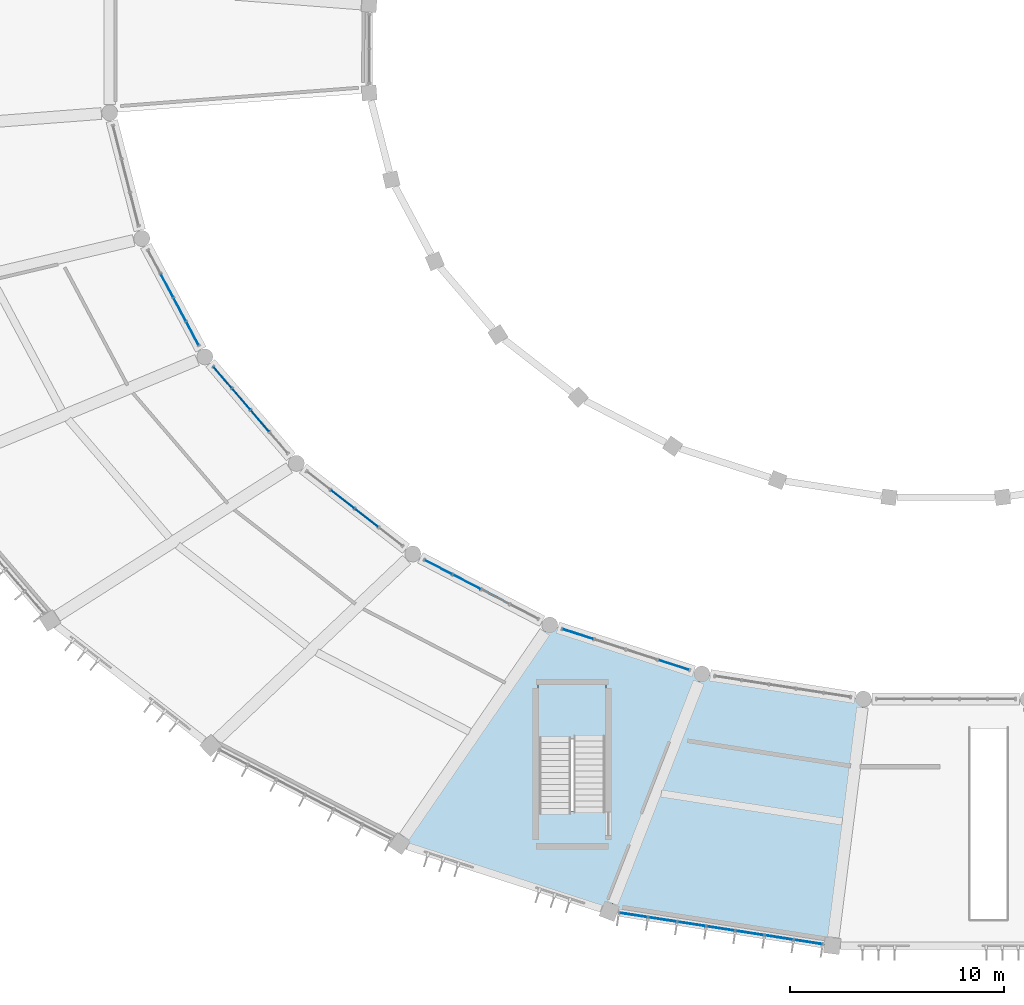
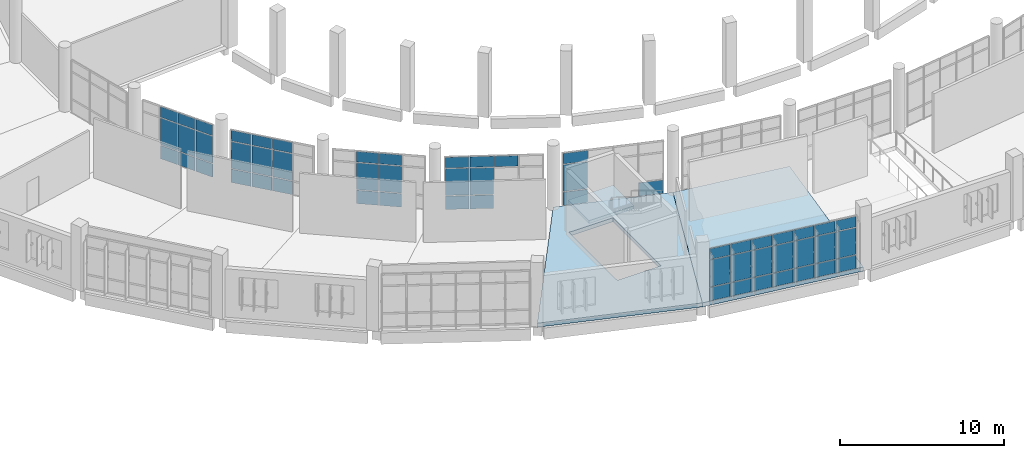
# One storey, part 86 of 179: 56 plates, 3 slabs, 7 elements without a shape of their own.
"""IFC4 building model written with IfcOpenShell, lengths in metres."""

from ifc_helpers import new_model, si_unit, direction, frame, origin, origin_2d, place, context, subcontext, project, spatial, polyline, rectangle, outline, extrude, material, layer, layer_set, type_object, element, aggregate, save


model = new_model("IFC4")

# Units and contexts
model_context = context("Model", 3, precision=1e-05, world=origin(), true_north=direction((0.0, 1.0)))
body_context = subcontext(model_context, "Body", "Model", "MODEL_VIEW")
ifc_project = project(units=[si_unit("LENGTHUNIT", "METRE"), si_unit("AREAUNIT", "SQUARE_METRE"), si_unit("VOLUMEUNIT", "CUBIC_METRE"), si_unit("PLANEANGLEUNIT", "RADIAN"), si_unit("MASSUNIT", "GRAM", prefix="KILO")], contexts=[model_context])

# Site, building, storey
site_placement = place(None, origin())
site = spatial("IfcSite", under=ifc_project, at=site_placement, CompositionType="ELEMENT")
building_placement = place(site_placement, origin())
building = spatial("IfcBuilding", under=site, at=building_placement, Name="Corvandel Quay Wholesale Market", CompositionType="ELEMENT")
storey_placement = place(building_placement, frame((0.0, 0.0, 6.0)))
storey = spatial("IfcBuildingStorey", under=building, at=storey_placement, Name="L01", CompositionType="ELEMENT", Elevation=6.0)

# Curtain wall, plates
ifc_material_1 = material(Name="Bronze anodised aluminium and low-E insulated glazing", Category="aluminium")
ifc_layer_1 = layer(ifc_material_1, 0.18603515625)
ifc_layer_set_1 = layer_set([ifc_layer_1], Name="Bronze anodised aluminium and low-E insulated glazing")
curtain_wall_type_1 = type_object("IfcCurtainWallType", Name="Stick Curtain Wall System CW08 H3720", PredefinedType="NOTDEFINED", material=ifc_layer_set_1)
curtain_wall_1_placement = place(storey_placement, origin())
curtain_wall_1 = element("IfcCurtainWall", 1, at=curtain_wall_1_placement, inside=storey, type_object=curtain_wall_type_1, Name="Curtain Wall CW-0051", PredefinedType="NOTDEFINED")
ifc_material_2 = material(Name="Solar-control low-E insulated glazing", Category="glass")
ifc_layer_2 = layer(ifc_material_2, 0.0400390625)
ifc_layer_set_2 = layer_set([ifc_layer_2], Name="Solar-control low-E insulated glazing")
plate_type_1 = type_object("IfcPlateType", Name="Ceramic Fritted Spandrel Panel PN03 40mm", PredefinedType="CURTAIN_PANEL", material=ifc_layer_set_2)
plate_1_placement = place(storey_placement, frame((77.531982421875, 30.90771484375, 3.1298828125), z_axis=(0.0, 0.0, 1.0), x_axis=(-0.470087862033, 0.882619624736, 0.0)))
plate_1 = element("IfcPlate", 2, at=plate_1_placement, type_object=plate_type_1, Name="Glazing Panel CW-0051-P01-2", PredefinedType="CURTAIN_PANEL", context=body_context, shape_type="SweptSolid", body=[
    extrude(rectangle(XDim=1.20458984375, YDim=0.0400390625, at=origin_2d()), origin(), (0.0, 0.0, 1.0), 0.7900390625),
])
plate_2_placement = place(storey_placement, frame((78.12890625, 29.787353515625, 3.1298828125), z_axis=(0.0, 0.0, 1.0), x_axis=(-0.470087862033, 0.882619624736, 0.0)))
plate_2 = element("IfcPlate", 3, at=plate_2_placement, type_object=plate_type_1, Name="Glazing Panel CW-0051-P02-2", PredefinedType="CURTAIN_PANEL", context=body_context, shape_type="SweptSolid", body=[
    extrude(rectangle(XDim=1.20458984375, YDim=0.0400390625, at=origin_2d()), origin(), (0.0, 0.0, 1.0), 0.7900390625),
])
plate_3_placement = place(storey_placement, frame((78.7255859375, 28.666748046875, 3.1298828125), z_axis=(0.0, 0.0, 1.0), x_axis=(-0.470087862033, 0.882619624736, 0.0)))
plate_3 = element("IfcPlate", 4, at=plate_3_placement, type_object=plate_type_1, Name="Glazing Panel CW-0051-P03-2", PredefinedType="CURTAIN_PANEL", context=body_context, shape_type="SweptSolid", body=[
    extrude(rectangle(XDim=1.20458984375, YDim=0.0400390625, at=origin_2d()), origin(), (0.0, 0.0, 1.0), 0.7900390625),
])

ifc_layer_3 = layer(ifc_material_1, 0.197998046875)
ifc_layer_set_3 = layer_set([ifc_layer_3], Name="Bronze anodised aluminium and low-E insulated glazing")
curtain_wall_type_2 = type_object("IfcCurtainWallType", Name="Stick Curtain Wall System CW09 H3810", PredefinedType="NOTDEFINED", material=ifc_layer_set_3)
curtain_wall_2_placement = place(storey_placement, origin())
curtain_wall_2 = element("IfcCurtainWall", 5, at=curtain_wall_2_placement, inside=storey, type_object=curtain_wall_type_2, Name="Curtain Wall CW-0055", PredefinedType="NOTDEFINED")
plate_4_placement = place(storey_placement, frame((80.134765625, 26.6123046875, 3.1298828125), z_axis=(0.0, 0.0, 1.0), x_axis=(-0.651568967347, 0.758589401976, 0.0)))
plate_4 = element("IfcPlate", 6, at=plate_4_placement, type_object=plate_type_1, Name="Glazing Panel CW-0055-P00-2", PredefinedType="CURTAIN_PANEL", context=body_context, shape_type="SweptSolid", body=[
    extrude(rectangle(XDim=1.27880859375, YDim=0.0400390625, at=origin_2d()), origin(), (0.0, 0.0, 1.0), 0.7900390625),
])
plate_5_placement = place(storey_placement, frame((81.01025390625, 25.5927734375, 3.1298828125), z_axis=(0.0, 0.0, 1.0), x_axis=(-0.651568967347, 0.758589401976, 0.0)))
plate_5 = element("IfcPlate", 7, at=plate_5_placement, type_object=plate_type_1, Name="Glazing Panel CW-0055-P01-2", PredefinedType="CURTAIN_PANEL", context=body_context, shape_type="SweptSolid", body=[
    extrude(rectangle(XDim=1.27880859375, YDim=0.0400390625, at=origin_2d()), origin(), (0.0, 0.0, 1.0), 0.7900390625),
])
plate_6_placement = place(storey_placement, frame((81.8857421875, 24.5732421875, 3.1298828125), z_axis=(0.0, 0.0, 1.0), x_axis=(-0.651568967347, 0.758589401976, 0.0)))
plate_6 = element("IfcPlate", 8, at=plate_6_placement, type_object=plate_type_1, Name="Glazing Panel CW-0055-P02-2", PredefinedType="CURTAIN_PANEL", context=body_context, shape_type="SweptSolid", body=[
    extrude(rectangle(XDim=1.27880859375, YDim=0.0400390625, at=origin_2d()), origin(), (0.0, 0.0, 1.0), 0.7900390625),
])

ifc_layer_4 = layer(ifc_material_1, 0.14990234375)
ifc_layer_set_4 = layer_set([ifc_layer_4], Name="Bronze anodised aluminium and low-E insulated glazing")
curtain_wall_type_3 = type_object("IfcCurtainWallType", Name="Stick Curtain Wall System CW10 H3900", PredefinedType="NOTDEFINED", material=ifc_layer_set_4)
curtain_wall_3_placement = place(storey_placement, origin())
curtain_wall_3 = element("IfcCurtainWall", 9, at=curtain_wall_3_placement, inside=storey, type_object=curtain_wall_type_3, Name="Curtain Wall CW-0058", PredefinedType="NOTDEFINED")
plate_7_placement = place(storey_placement, frame((85.75341796875, 20.906494140625, 3.1298828125), z_axis=(0.0, 0.0, 1.0), x_axis=(-0.789405615633, 0.613871952452, 0.0)))
plate_7 = element("IfcPlate", 10, at=plate_7_placement, type_object=plate_type_1, Name="Glazing Panel CW-0058-P01-2", PredefinedType="CURTAIN_PANEL", context=body_context, shape_type="SweptSolid", body=[
    extrude(rectangle(XDim=1.362060546875, YDim=0.0400390625, at=origin_2d()), origin(), (0.0, 0.0, 1.0), 0.7900390625),
])
plate_8_placement = place(storey_placement, frame((86.879638671875, 20.030517578125, 3.1298828125), z_axis=(0.0, 0.0, 1.0), x_axis=(-0.789405615633, 0.613871952452, 0.0)))
plate_8 = element("IfcPlate", 11, at=plate_8_placement, type_object=plate_type_1, Name="Glazing Panel CW-0058-P02-2", PredefinedType="CURTAIN_PANEL", context=body_context, shape_type="SweptSolid", body=[
    extrude(rectangle(XDim=1.362060546875, YDim=0.0400390625, at=origin_2d()), origin(), (0.0, 0.0, 1.0), 0.7900390625),
])

ifc_layer_5 = layer(ifc_material_1, 0.162109375)
ifc_layer_set_5 = layer_set([ifc_layer_5], Name="Bronze anodised aluminium and low-E insulated glazing")
curtain_wall_type_4 = type_object("IfcCurtainWallType", Name="Stick Curtain Wall System CW11 H3990", PredefinedType="NOTDEFINED", material=ifc_layer_set_5)
curtain_wall_4_placement = place(storey_placement, origin())
curtain_wall_4 = element("IfcCurtainWall", 12, at=curtain_wall_4_placement, inside=storey, type_object=curtain_wall_type_4, Name="Curtain Wall CW-0061", PredefinedType="NOTDEFINED")
plate_9_placement = place(storey_placement, frame((90.243896484375, 17.72412109375, 3.1298828125), z_axis=(0.0, 0.0, 1.0), x_axis=(-0.887332978338, 0.461129250378, 0.0)))
plate_9 = element("IfcPlate", 13, at=plate_9_placement, type_object=plate_type_1, Name="Glazing Panel CW-0061-P00-2", PredefinedType="CURTAIN_PANEL", context=body_context, shape_type="SweptSolid", body=[
    extrude(rectangle(XDim=1.44189453125, YDim=0.0400390625, at=origin_2d()), origin(), (0.0, 0.0, 1.0), 0.7900390625),
])
plate_10_placement = place(storey_placement, frame((91.5810546875, 17.029296875, 3.1298828125), z_axis=(0.0, 0.0, 1.0), x_axis=(-0.887332978338, 0.461129250378, 0.0)))
plate_10 = element("IfcPlate", 14, at=plate_10_placement, type_object=plate_type_1, Name="Glazing Panel CW-0061-P01-2", PredefinedType="CURTAIN_PANEL", context=body_context, shape_type="SweptSolid", body=[
    extrude(rectangle(XDim=1.44189453125, YDim=0.0400390625, at=origin_2d()), origin(), (0.0, 0.0, 1.0), 0.7900390625),
])
plate_11_placement = place(storey_placement, frame((92.91796875, 16.334716796875, 3.1298828125), z_axis=(0.0, 0.0, 1.0), x_axis=(-0.887332978338, 0.461129250378, 0.0)))
plate_11 = element("IfcPlate", 15, at=plate_11_placement, type_object=plate_type_1, Name="Glazing Panel CW-0061-P02-2", PredefinedType="CURTAIN_PANEL", context=body_context, shape_type="SweptSolid", body=[
    extrude(rectangle(XDim=1.44189453125, YDim=0.0400390625, at=origin_2d()), origin(), (0.0, 0.0, 1.0), 0.7900390625),
])

# Curtain wall, plate
ifc_layer_6 = layer(ifc_material_1, 0.174072265625)
ifc_layer_set_6 = layer_set([ifc_layer_6], Name="Bronze anodised aluminium and low-E insulated glazing")
curtain_wall_type_5 = type_object("IfcCurtainWallType", Name="Stick Curtain Wall System CW12 H4080", PredefinedType="NOTDEFINED", material=ifc_layer_set_6)
curtain_wall_5_placement = place(storey_placement, origin())
curtain_wall_5 = element("IfcCurtainWall", 16, at=curtain_wall_5_placement, inside=storey, type_object=curtain_wall_type_5, Name="Curtain Wall CW-0064", PredefinedType="NOTDEFINED")
plate_12_placement = place(storey_placement, frame((96.77490234375, 14.591064453125, 3.1298828125), z_axis=(0.0, 0.0, 1.0), x_axis=(-0.951808747363, 0.306692204733, 0.0)))
plate_12 = element("IfcPlate", 17, at=plate_12_placement, type_object=plate_type_1, Name="Glazing Panel CW-0064-P00-2", PredefinedType="CURTAIN_PANEL", context=body_context, shape_type="SweptSolid", body=[
    extrude(rectangle(XDim=1.506103515625, YDim=0.0400390625, at=origin_2d()), origin(), (0.0, 0.0, 1.0), 0.7900390625),
])

# Curtain wall, plates
ifc_layer_7 = layer(ifc_material_1, 0.174072265625)
ifc_layer_set_7 = layer_set([ifc_layer_7], Name="Bronze anodised aluminium and low-E insulated glazing")
curtain_wall_type_6 = type_object("IfcCurtainWallType", Name="Stick Curtain Wall System CW27 H5430", PredefinedType="NOTDEFINED", material=ifc_layer_set_7)
curtain_wall_6_placement = place(storey_placement, origin())
curtain_wall_6 = element("IfcCurtainWall", 18, at=curtain_wall_6_placement, inside=storey, type_object=curtain_wall_type_6, Name="Curtain Wall CW-0066", PredefinedType="NOTDEFINED")
plate_13_placement = place(storey_placement, frame((99.375244140625, 1.439697265625, 3.1298828125), z_axis=(0.0, 0.0, 1.0), x_axis=(-0.98825506746, 0.152813355565, 0.0)))
plate_13 = element("IfcPlate", 19, at=plate_13_placement, type_object=plate_type_1, Name="Glazing Panel CW-0066-P00-2", PredefinedType="CURTAIN_PANEL", context=body_context, shape_type="SweptSolid", body=[
    extrude(rectangle(XDim=1.314453125, YDim=0.0400390625, at=origin_2d()), origin(), (0.0, 0.0, 1.0), 0.7900390625),
])
plate_14_placement = place(storey_placement, frame((100.738525390625, 1.228759765625, 3.1298828125), z_axis=(0.0, 0.0, 1.0), x_axis=(-0.98825506746, 0.152813355565, 0.0)))
plate_14 = element("IfcPlate", 20, at=plate_14_placement, type_object=plate_type_1, Name="Glazing Panel CW-0066-P01-2", PredefinedType="CURTAIN_PANEL", context=body_context, shape_type="SweptSolid", body=[
    extrude(rectangle(XDim=1.314453125, YDim=0.0400390625, at=origin_2d()), origin(), (0.0, 0.0, 1.0), 0.7900390625),
])
plate_15_placement = place(storey_placement, frame((102.101806640625, 1.017822265625, 3.1298828125), z_axis=(0.0, 0.0, 1.0), x_axis=(-0.98825506746, 0.152813355565, 0.0)))
plate_15 = element("IfcPlate", 21, at=plate_15_placement, type_object=plate_type_1, Name="Glazing Panel CW-0066-P02-2", PredefinedType="CURTAIN_PANEL", context=body_context, shape_type="SweptSolid", body=[
    extrude(rectangle(XDim=1.314453125, YDim=0.0400390625, at=origin_2d()), origin(), (0.0, 0.0, 1.0), 0.7900390625),
])
plate_16_placement = place(storey_placement, frame((103.465087890625, 0.806884765625, 3.1298828125), z_axis=(0.0, 0.0, 1.0), x_axis=(-0.98825506746, 0.152813355565, 0.0)))
plate_16 = element("IfcPlate", 22, at=plate_16_placement, type_object=plate_type_1, Name="Glazing Panel CW-0066-P03-2", PredefinedType="CURTAIN_PANEL", context=body_context, shape_type="SweptSolid", body=[
    extrude(rectangle(XDim=1.314453125, YDim=0.0400390625, at=origin_2d()), origin(), (0.0, 0.0, 1.0), 0.7900390625),
])
plate_17_placement = place(storey_placement, frame((104.828125, 0.59619140625, 3.1298828125), z_axis=(0.0, 0.0, 1.0), x_axis=(-0.98825506746, 0.152813355565, 0.0)))
plate_17 = element("IfcPlate", 23, at=plate_17_placement, type_object=plate_type_1, Name="Glazing Panel CW-0066-P04-2", PredefinedType="CURTAIN_PANEL", context=body_context, shape_type="SweptSolid", body=[
    extrude(rectangle(XDim=1.314453125, YDim=0.0400390625, at=origin_2d()), origin(), (0.0, 0.0, 1.0), 0.7900390625),
])
plate_18_placement = place(storey_placement, frame((106.19140625, 0.38525390625, 3.1298828125), z_axis=(0.0, 0.0, 1.0), x_axis=(-0.98825506746, 0.152813355565, 0.0)))
plate_18 = element("IfcPlate", 24, at=plate_18_placement, type_object=plate_type_1, Name="Glazing Panel CW-0066-P05-2", PredefinedType="CURTAIN_PANEL", context=body_context, shape_type="SweptSolid", body=[
    extrude(rectangle(XDim=1.314453125, YDim=0.0400390625, at=origin_2d()), origin(), (0.0, 0.0, 1.0), 0.7900390625),
])
plate_19_placement = place(storey_placement, frame((107.5546875, 0.17431640625, 3.1298828125), z_axis=(0.0, 0.0, 1.0), x_axis=(-0.98825506746, 0.152813355565, 0.0)))
plate_19 = element("IfcPlate", 25, at=plate_19_placement, type_object=plate_type_1, Name="Glazing Panel CW-0066-P06-2", PredefinedType="CURTAIN_PANEL", context=body_context, shape_type="SweptSolid", body=[
    extrude(rectangle(XDim=1.314453125, YDim=0.0400390625, at=origin_2d()), origin(), (0.0, 0.0, 1.0), 0.7900390625),
])

# Slabs
ifc_material_3 = material(Name="Concrete C40/50", Category="concrete")
ifc_layer_8 = layer(ifc_material_3, 0.300048828125)
ifc_layer_set_8 = layer_set([ifc_layer_8], Name="Concrete C40/50")
slab_type_1 = type_object("IfcSlabType", Name="Composite Trading Gallery Floor Slab 300", PredefinedType="FLOOR", material=ifc_layer_set_8)
slab_1_placement = place(storey_placement, frame((0.0, 0.0, -0.300048828125)))
element("IfcSlab", 26, at=slab_1_placement, inside=storey, type_object=slab_type_1, Name="Slab SLB-0104", PredefinedType="FLOOR", context=body_context, shape_type="SweptSolid", body=[
    extrude(outline(polyline([(95.4560546875, 15.01611328125), (102.580078125, 12.719970703125), (98.2490234375, 1.614013671875), (88.4208984375, 4.780029296875), (95.4560546875, 15.01611328125)]), holes=[polyline([(98.050048828125, 6.300048828125), (98.050048828125, 12.199951171875), (94.949951171875, 12.199951171875), (94.949951171875, 6.300048828125), (98.050048828125, 6.300048828125)])]), origin(), (0.0, 0.0, 1.0), 0.300048828125),
])
slab_2_placement = place(storey_placement, frame((0.0, 0.0, -0.300048828125)))
element("IfcSlab", 27, at=slab_2_placement, inside=storey, type_object=slab_type_1, Name="Slab SLB-0108", PredefinedType="FLOOR", context=body_context, shape_type="SweptSolid", body=[
    extrude(outline(polyline([(102.580078125, 12.719970703125), (110.14404296875, 11.550048828125), (108.680908203125, 0.0), (98.2490234375, 1.614013671875), (102.580078125, 12.719970703125)])), origin(), (0.0, 0.0, 1.0), 0.300048828125),
])

# Plate
ifc_layer_9 = layer(ifc_material_2, 0.028076171875)
ifc_layer_set_9 = layer_set([ifc_layer_9], Name="Solar-control low-E insulated glazing")
plate_type_2 = type_object("IfcPlateType", Name="Double Low-E Vision Panel PN01 28mm", PredefinedType="CURTAIN_PANEL", material=ifc_layer_set_9)
plate_20_placement = place(storey_placement, frame((77.531982421875, 30.90771484375, 0.02978515625), z_axis=(0.0, 0.0, 1.0), x_axis=(-0.470087862033, 0.882619624736, 0.0)))
plate_20 = element("IfcPlate", 28, at=plate_20_placement, type_object=plate_type_2, Name="Glazing Panel CW-0051-P01-0", PredefinedType="CURTAIN_PANEL", context=body_context, shape_type="SweptSolid", body=[
    extrude(rectangle(XDim=1.20458984375, YDim=0.028076171875, at=origin_2d()), origin(), (0.0, 0.0, 1.0), 0.989990234375),
])

plate_21_placement = place(storey_placement, frame((77.531982421875, 30.90771484375, 1.080078125), z_axis=(0.0, 0.0, 1.0), x_axis=(-0.470087862033, 0.882619624736, 0.0)))
plate_21 = element("IfcPlate", 29, at=plate_21_placement, type_object=plate_type_2, Name="Glazing Panel CW-0051-P01-1", PredefinedType="CURTAIN_PANEL", context=body_context, shape_type="SweptSolid", body=[
    extrude(rectangle(XDim=1.20458984375, YDim=0.028076171875, at=origin_2d()), origin(), (0.0, 0.0, 1.0), 1.989990234375),
])

plate_22_placement = place(storey_placement, frame((78.12890625, 29.787353515625, 0.02978515625), z_axis=(0.0, 0.0, 1.0), x_axis=(-0.470087862033, 0.882619624736, 0.0)))
plate_22 = element("IfcPlate", 30, at=plate_22_placement, type_object=plate_type_2, Name="Glazing Panel CW-0051-P02-0", PredefinedType="CURTAIN_PANEL", context=body_context, shape_type="SweptSolid", body=[
    extrude(rectangle(XDim=1.20458984375, YDim=0.028076171875, at=origin_2d()), origin(), (0.0, 0.0, 1.0), 0.989990234375),
])

plate_23_placement = place(storey_placement, frame((78.12890625, 29.787353515625, 1.080078125), z_axis=(0.0, 0.0, 1.0), x_axis=(-0.470087862033, 0.882619624736, 0.0)))
plate_23 = element("IfcPlate", 31, at=plate_23_placement, type_object=plate_type_2, Name="Glazing Panel CW-0051-P02-1", PredefinedType="CURTAIN_PANEL", context=body_context, shape_type="SweptSolid", body=[
    extrude(rectangle(XDim=1.20458984375, YDim=0.028076171875, at=origin_2d()), origin(), (0.0, 0.0, 1.0), 1.989990234375),
])

plate_24_placement = place(storey_placement, frame((78.7255859375, 28.666748046875, 0.02978515625), z_axis=(0.0, 0.0, 1.0), x_axis=(-0.470087862033, 0.882619624736, 0.0)))
plate_24 = element("IfcPlate", 32, at=plate_24_placement, type_object=plate_type_2, Name="Glazing Panel CW-0051-P03-0", PredefinedType="CURTAIN_PANEL", context=body_context, shape_type="SweptSolid", body=[
    extrude(rectangle(XDim=1.20458984375, YDim=0.028076171875, at=origin_2d()), origin(), (0.0, 0.0, 1.0), 0.989990234375),
])

plate_25_placement = place(storey_placement, frame((78.7255859375, 28.666748046875, 1.080078125), z_axis=(0.0, 0.0, 1.0), x_axis=(-0.470087862033, 0.882619624736, 0.0)))
plate_25 = element("IfcPlate", 33, at=plate_25_placement, type_object=plate_type_2, Name="Glazing Panel CW-0051-P03-1", PredefinedType="CURTAIN_PANEL", context=body_context, shape_type="SweptSolid", body=[
    extrude(rectangle(XDim=1.20458984375, YDim=0.028076171875, at=origin_2d()), origin(), (0.0, 0.0, 1.0), 1.989990234375),
])

aggregate(curtain_wall_1, [plate_20, plate_21, plate_1, plate_22, plate_23, plate_2, plate_24, plate_25, plate_3])

plate_26_placement = place(storey_placement, frame((80.134765625, 26.6123046875, 0.02978515625), z_axis=(0.0, 0.0, 1.0), x_axis=(-0.651568967347, 0.758589401976, 0.0)))
plate_26 = element("IfcPlate", 34, at=plate_26_placement, type_object=plate_type_2, Name="Glazing Panel CW-0055-P00-0", PredefinedType="CURTAIN_PANEL", context=body_context, shape_type="SweptSolid", body=[
    extrude(rectangle(XDim=1.27880859375, YDim=0.028076171875, at=origin_2d()), origin(), (0.0, 0.0, 1.0), 0.989990234375),
])

plate_27_placement = place(storey_placement, frame((80.134765625, 26.6123046875, 1.080078125), z_axis=(0.0, 0.0, 1.0), x_axis=(-0.651568967347, 0.758589401976, 0.0)))
plate_27 = element("IfcPlate", 35, at=plate_27_placement, type_object=plate_type_2, Name="Glazing Panel CW-0055-P00-1", PredefinedType="CURTAIN_PANEL", context=body_context, shape_type="SweptSolid", body=[
    extrude(rectangle(XDim=1.27880859375, YDim=0.028076171875, at=origin_2d()), origin(), (0.0, 0.0, 1.0), 1.989990234375),
])

plate_28_placement = place(storey_placement, frame((81.01025390625, 25.5927734375, 0.02978515625), z_axis=(0.0, 0.0, 1.0), x_axis=(-0.651568967347, 0.758589401976, 0.0)))
plate_28 = element("IfcPlate", 36, at=plate_28_placement, type_object=plate_type_2, Name="Glazing Panel CW-0055-P01-0", PredefinedType="CURTAIN_PANEL", context=body_context, shape_type="SweptSolid", body=[
    extrude(rectangle(XDim=1.27880859375, YDim=0.028076171875, at=origin_2d()), origin(), (0.0, 0.0, 1.0), 0.989990234375),
])

plate_29_placement = place(storey_placement, frame((81.01025390625, 25.5927734375, 1.080078125), z_axis=(0.0, 0.0, 1.0), x_axis=(-0.651568967347, 0.758589401976, 0.0)))
plate_29 = element("IfcPlate", 37, at=plate_29_placement, type_object=plate_type_2, Name="Glazing Panel CW-0055-P01-1", PredefinedType="CURTAIN_PANEL", context=body_context, shape_type="SweptSolid", body=[
    extrude(rectangle(XDim=1.27880859375, YDim=0.028076171875, at=origin_2d()), origin(), (0.0, 0.0, 1.0), 1.989990234375),
])

plate_30_placement = place(storey_placement, frame((81.8857421875, 24.5732421875, 0.02978515625), z_axis=(0.0, 0.0, 1.0), x_axis=(-0.651568967347, 0.758589401976, 0.0)))
plate_30 = element("IfcPlate", 38, at=plate_30_placement, type_object=plate_type_2, Name="Glazing Panel CW-0055-P02-0", PredefinedType="CURTAIN_PANEL", context=body_context, shape_type="SweptSolid", body=[
    extrude(rectangle(XDim=1.27880859375, YDim=0.028076171875, at=origin_2d()), origin(), (0.0, 0.0, 1.0), 0.989990234375),
])

plate_31_placement = place(storey_placement, frame((81.8857421875, 24.5732421875, 1.080078125), z_axis=(0.0, 0.0, 1.0), x_axis=(-0.651568967347, 0.758589401976, 0.0)))
plate_31 = element("IfcPlate", 39, at=plate_31_placement, type_object=plate_type_2, Name="Glazing Panel CW-0055-P02-1", PredefinedType="CURTAIN_PANEL", context=body_context, shape_type="SweptSolid", body=[
    extrude(rectangle(XDim=1.27880859375, YDim=0.028076171875, at=origin_2d()), origin(), (0.0, 0.0, 1.0), 1.989990234375),
])

aggregate(curtain_wall_2, [plate_26, plate_27, plate_4, plate_28, plate_29, plate_5, plate_30, plate_31, plate_6])

plate_32_placement = place(storey_placement, frame((85.75341796875, 20.906494140625, 0.02978515625), z_axis=(0.0, 0.0, 1.0), x_axis=(-0.789405615633, 0.613871952452, 0.0)))
plate_32 = element("IfcPlate", 40, at=plate_32_placement, type_object=plate_type_2, Name="Glazing Panel CW-0058-P01-0", PredefinedType="CURTAIN_PANEL", context=body_context, shape_type="SweptSolid", body=[
    extrude(rectangle(XDim=1.362060546875, YDim=0.028076171875, at=origin_2d()), origin(), (0.0, 0.0, 1.0), 0.989990234375),
])

plate_33_placement = place(storey_placement, frame((85.75341796875, 20.906494140625, 1.080078125), z_axis=(0.0, 0.0, 1.0), x_axis=(-0.789405615633, 0.613871952452, 0.0)))
plate_33 = element("IfcPlate", 41, at=plate_33_placement, type_object=plate_type_2, Name="Glazing Panel CW-0058-P01-1", PredefinedType="CURTAIN_PANEL", context=body_context, shape_type="SweptSolid", body=[
    extrude(rectangle(XDim=1.362060546875, YDim=0.028076171875, at=origin_2d()), origin(), (0.0, 0.0, 1.0), 1.989990234375),
])

plate_34_placement = place(storey_placement, frame((86.879638671875, 20.030517578125, 0.02978515625), z_axis=(0.0, 0.0, 1.0), x_axis=(-0.789405615633, 0.613871952452, 0.0)))
plate_34 = element("IfcPlate", 42, at=plate_34_placement, type_object=plate_type_2, Name="Glazing Panel CW-0058-P02-0", PredefinedType="CURTAIN_PANEL", context=body_context, shape_type="SweptSolid", body=[
    extrude(rectangle(XDim=1.362060546875, YDim=0.028076171875, at=origin_2d()), origin(), (0.0, 0.0, 1.0), 0.989990234375),
])

plate_35_placement = place(storey_placement, frame((86.879638671875, 20.030517578125, 1.080078125), z_axis=(0.0, 0.0, 1.0), x_axis=(-0.789405615633, 0.613871952452, 0.0)))
plate_35 = element("IfcPlate", 43, at=plate_35_placement, type_object=plate_type_2, Name="Glazing Panel CW-0058-P02-1", PredefinedType="CURTAIN_PANEL", context=body_context, shape_type="SweptSolid", body=[
    extrude(rectangle(XDim=1.362060546875, YDim=0.028076171875, at=origin_2d()), origin(), (0.0, 0.0, 1.0), 1.989990234375),
])

aggregate(curtain_wall_3, [plate_32, plate_33, plate_7, plate_34, plate_35, plate_8])

plate_36_placement = place(storey_placement, frame((90.243896484375, 17.72412109375, 0.02978515625), z_axis=(0.0, 0.0, 1.0), x_axis=(-0.887332978338, 0.461129250378, 0.0)))
plate_36 = element("IfcPlate", 44, at=plate_36_placement, type_object=plate_type_2, Name="Glazing Panel CW-0061-P00-0", PredefinedType="CURTAIN_PANEL", context=body_context, shape_type="SweptSolid", body=[
    extrude(rectangle(XDim=1.44189453125, YDim=0.028076171875, at=origin_2d()), origin(), (0.0, 0.0, 1.0), 0.989990234375),
])

plate_37_placement = place(storey_placement, frame((90.243896484375, 17.72412109375, 1.080078125), z_axis=(0.0, 0.0, 1.0), x_axis=(-0.887332978338, 0.461129250378, 0.0)))
plate_37 = element("IfcPlate", 45, at=plate_37_placement, type_object=plate_type_2, Name="Glazing Panel CW-0061-P00-1", PredefinedType="CURTAIN_PANEL", context=body_context, shape_type="SweptSolid", body=[
    extrude(rectangle(XDim=1.44189453125, YDim=0.028076171875, at=origin_2d()), origin(), (0.0, 0.0, 1.0), 1.989990234375),
])

plate_38_placement = place(storey_placement, frame((91.5810546875, 17.029296875, 0.02978515625), z_axis=(0.0, 0.0, 1.0), x_axis=(-0.887332978338, 0.461129250378, 0.0)))
plate_38 = element("IfcPlate", 46, at=plate_38_placement, type_object=plate_type_2, Name="Glazing Panel CW-0061-P01-0", PredefinedType="CURTAIN_PANEL", context=body_context, shape_type="SweptSolid", body=[
    extrude(rectangle(XDim=1.44189453125, YDim=0.028076171875, at=origin_2d()), origin(), (0.0, 0.0, 1.0), 0.989990234375),
])

plate_39_placement = place(storey_placement, frame((91.5810546875, 17.029296875, 1.080078125), z_axis=(0.0, 0.0, 1.0), x_axis=(-0.887332978338, 0.461129250378, 0.0)))
plate_39 = element("IfcPlate", 47, at=plate_39_placement, type_object=plate_type_2, Name="Glazing Panel CW-0061-P01-1", PredefinedType="CURTAIN_PANEL", context=body_context, shape_type="SweptSolid", body=[
    extrude(rectangle(XDim=1.44189453125, YDim=0.028076171875, at=origin_2d()), origin(), (0.0, 0.0, 1.0), 1.989990234375),
])

aggregate(curtain_wall_4, [plate_36, plate_37, plate_9, plate_38, plate_39, plate_10, plate_11])

plate_40_placement = place(storey_placement, frame((96.77490234375, 14.591064453125, 0.02978515625), z_axis=(0.0, 0.0, 1.0), x_axis=(-0.951808747363, 0.306692204733, 0.0)))
plate_40 = element("IfcPlate", 48, at=plate_40_placement, type_object=plate_type_2, Name="Glazing Panel CW-0064-P00-0", PredefinedType="CURTAIN_PANEL", context=body_context, shape_type="SweptSolid", body=[
    extrude(rectangle(XDim=1.506103515625, YDim=0.028076171875, at=origin_2d()), origin(), (0.0, 0.0, 1.0), 0.989990234375),
])

plate_41_placement = place(storey_placement, frame((96.77490234375, 14.591064453125, 1.080078125), z_axis=(0.0, 0.0, 1.0), x_axis=(-0.951808747363, 0.306692204733, 0.0)))
plate_41 = element("IfcPlate", 49, at=plate_41_placement, type_object=plate_type_2, Name="Glazing Panel CW-0064-P00-1", PredefinedType="CURTAIN_PANEL", context=body_context, shape_type="SweptSolid", body=[
    extrude(rectangle(XDim=1.506103515625, YDim=0.028076171875, at=origin_2d()), origin(), (0.0, 0.0, 1.0), 1.989990234375),
])

plate_42_placement = place(storey_placement, frame((101.26123046875, 13.14501953125, 0.02978515625), z_axis=(0.0, 0.0, 1.0), x_axis=(-0.951808747363, 0.306692204733, 0.0)))
plate_42 = element("IfcPlate", 50, at=plate_42_placement, type_object=plate_type_2, Name="Glazing Panel CW-0064-P03-0", PredefinedType="CURTAIN_PANEL", context=body_context, shape_type="SweptSolid", body=[
    extrude(rectangle(XDim=1.506103515625, YDim=0.028076171875, at=origin_2d()), origin(), (0.0, 0.0, 1.0), 0.989990234375),
])

aggregate(curtain_wall_5, [plate_40, plate_41, plate_12, plate_42])

plate_43_placement = place(storey_placement, frame((99.375244140625, 1.439697265625, 0.02978515625), z_axis=(0.0, 0.0, 1.0), x_axis=(-0.98825506746, 0.152813355565, 0.0)))
plate_43 = element("IfcPlate", 51, at=plate_43_placement, type_object=plate_type_2, Name="Glazing Panel CW-0066-P00-0", PredefinedType="CURTAIN_PANEL", context=body_context, shape_type="SweptSolid", body=[
    extrude(rectangle(XDim=1.314453125, YDim=0.028076171875, at=origin_2d()), origin(), (0.0, 0.0, 1.0), 0.989990234375),
])

plate_44_placement = place(storey_placement, frame((99.375244140625, 1.439697265625, 1.080078125), z_axis=(0.0, 0.0, 1.0), x_axis=(-0.98825506746, 0.152813355565, 0.0)))
plate_44 = element("IfcPlate", 52, at=plate_44_placement, type_object=plate_type_2, Name="Glazing Panel CW-0066-P00-1", PredefinedType="CURTAIN_PANEL", context=body_context, shape_type="SweptSolid", body=[
    extrude(rectangle(XDim=1.314453125, YDim=0.028076171875, at=origin_2d()), origin(), (0.0, 0.0, 1.0), 1.989990234375),
])

plate_45_placement = place(storey_placement, frame((100.738525390625, 1.228759765625, 0.02978515625), z_axis=(0.0, 0.0, 1.0), x_axis=(-0.98825506746, 0.152813355565, 0.0)))
plate_45 = element("IfcPlate", 53, at=plate_45_placement, type_object=plate_type_2, Name="Glazing Panel CW-0066-P01-0", PredefinedType="CURTAIN_PANEL", context=body_context, shape_type="SweptSolid", body=[
    extrude(rectangle(XDim=1.314453125, YDim=0.028076171875, at=origin_2d()), origin(), (0.0, 0.0, 1.0), 0.989990234375),
])

plate_46_placement = place(storey_placement, frame((100.738525390625, 1.228759765625, 1.080078125), z_axis=(0.0, 0.0, 1.0), x_axis=(-0.98825506746, 0.152813355565, 0.0)))
plate_46 = element("IfcPlate", 54, at=plate_46_placement, type_object=plate_type_2, Name="Glazing Panel CW-0066-P01-1", PredefinedType="CURTAIN_PANEL", context=body_context, shape_type="SweptSolid", body=[
    extrude(rectangle(XDim=1.314453125, YDim=0.028076171875, at=origin_2d()), origin(), (0.0, 0.0, 1.0), 1.989990234375),
])

plate_47_placement = place(storey_placement, frame((102.101806640625, 1.017822265625, 0.02978515625), z_axis=(0.0, 0.0, 1.0), x_axis=(-0.98825506746, 0.152813355565, 0.0)))
plate_47 = element("IfcPlate", 55, at=plate_47_placement, type_object=plate_type_2, Name="Glazing Panel CW-0066-P02-0", PredefinedType="CURTAIN_PANEL", context=body_context, shape_type="SweptSolid", body=[
    extrude(rectangle(XDim=1.314453125, YDim=0.028076171875, at=origin_2d()), origin(), (0.0, 0.0, 1.0), 0.989990234375),
])

plate_48_placement = place(storey_placement, frame((102.101806640625, 1.017822265625, 1.080078125), z_axis=(0.0, 0.0, 1.0), x_axis=(-0.98825506746, 0.152813355565, 0.0)))
plate_48 = element("IfcPlate", 56, at=plate_48_placement, type_object=plate_type_2, Name="Glazing Panel CW-0066-P02-1", PredefinedType="CURTAIN_PANEL", context=body_context, shape_type="SweptSolid", body=[
    extrude(rectangle(XDim=1.314453125, YDim=0.028076171875, at=origin_2d()), origin(), (0.0, 0.0, 1.0), 1.989990234375),
])

plate_49_placement = place(storey_placement, frame((103.465087890625, 0.806884765625, 0.02978515625), z_axis=(0.0, 0.0, 1.0), x_axis=(-0.98825506746, 0.152813355565, 0.0)))
plate_49 = element("IfcPlate", 57, at=plate_49_placement, type_object=plate_type_2, Name="Glazing Panel CW-0066-P03-0", PredefinedType="CURTAIN_PANEL", context=body_context, shape_type="SweptSolid", body=[
    extrude(rectangle(XDim=1.314453125, YDim=0.028076171875, at=origin_2d()), origin(), (0.0, 0.0, 1.0), 0.989990234375),
])

plate_50_placement = place(storey_placement, frame((103.465087890625, 0.806884765625, 1.080078125), z_axis=(0.0, 0.0, 1.0), x_axis=(-0.98825506746, 0.152813355565, 0.0)))
plate_50 = element("IfcPlate", 58, at=plate_50_placement, type_object=plate_type_2, Name="Glazing Panel CW-0066-P03-1", PredefinedType="CURTAIN_PANEL", context=body_context, shape_type="SweptSolid", body=[
    extrude(rectangle(XDim=1.314453125, YDim=0.028076171875, at=origin_2d()), origin(), (0.0, 0.0, 1.0), 1.989990234375),
])

plate_51_placement = place(storey_placement, frame((104.828125, 0.59619140625, 0.02978515625), z_axis=(0.0, 0.0, 1.0), x_axis=(-0.98825506746, 0.152813355565, 0.0)))
plate_51 = element("IfcPlate", 59, at=plate_51_placement, type_object=plate_type_2, Name="Glazing Panel CW-0066-P04-0", PredefinedType="CURTAIN_PANEL", context=body_context, shape_type="SweptSolid", body=[
    extrude(rectangle(XDim=1.314453125, YDim=0.028076171875, at=origin_2d()), origin(), (0.0, 0.0, 1.0), 0.989990234375),
])

plate_52_placement = place(storey_placement, frame((104.828125, 0.59619140625, 1.080078125), z_axis=(0.0, 0.0, 1.0), x_axis=(-0.98825506746, 0.152813355565, 0.0)))
plate_52 = element("IfcPlate", 60, at=plate_52_placement, type_object=plate_type_2, Name="Glazing Panel CW-0066-P04-1", PredefinedType="CURTAIN_PANEL", context=body_context, shape_type="SweptSolid", body=[
    extrude(rectangle(XDim=1.314453125, YDim=0.028076171875, at=origin_2d()), origin(), (0.0, 0.0, 1.0), 1.989990234375),
])

plate_53_placement = place(storey_placement, frame((106.19140625, 0.38525390625, 0.02978515625), z_axis=(0.0, 0.0, 1.0), x_axis=(-0.98825506746, 0.152813355565, 0.0)))
plate_53 = element("IfcPlate", 61, at=plate_53_placement, type_object=plate_type_2, Name="Glazing Panel CW-0066-P05-0", PredefinedType="CURTAIN_PANEL", context=body_context, shape_type="SweptSolid", body=[
    extrude(rectangle(XDim=1.314453125, YDim=0.028076171875, at=origin_2d()), origin(), (0.0, 0.0, 1.0), 0.989990234375),
])

plate_54_placement = place(storey_placement, frame((106.19140625, 0.38525390625, 1.080078125), z_axis=(0.0, 0.0, 1.0), x_axis=(-0.98825506746, 0.152813355565, 0.0)))
plate_54 = element("IfcPlate", 62, at=plate_54_placement, type_object=plate_type_2, Name="Glazing Panel CW-0066-P05-1", PredefinedType="CURTAIN_PANEL", context=body_context, shape_type="SweptSolid", body=[
    extrude(rectangle(XDim=1.314453125, YDim=0.028076171875, at=origin_2d()), origin(), (0.0, 0.0, 1.0), 1.989990234375),
])

plate_55_placement = place(storey_placement, frame((107.5546875, 0.17431640625, 0.02978515625), z_axis=(0.0, 0.0, 1.0), x_axis=(-0.98825506746, 0.152813355565, 0.0)))
plate_55 = element("IfcPlate", 63, at=plate_55_placement, type_object=plate_type_2, Name="Glazing Panel CW-0066-P06-0", PredefinedType="CURTAIN_PANEL", context=body_context, shape_type="SweptSolid", body=[
    extrude(rectangle(XDim=1.314453125, YDim=0.028076171875, at=origin_2d()), origin(), (0.0, 0.0, 1.0), 0.989990234375),
])

plate_56_placement = place(storey_placement, frame((107.5546875, 0.17431640625, 1.080078125), z_axis=(0.0, 0.0, 1.0), x_axis=(-0.98825506746, 0.152813355565, 0.0)))
plate_56 = element("IfcPlate", 64, at=plate_56_placement, type_object=plate_type_2, Name="Glazing Panel CW-0066-P06-1", PredefinedType="CURTAIN_PANEL", context=body_context, shape_type="SweptSolid", body=[
    extrude(rectangle(XDim=1.314453125, YDim=0.028076171875, at=origin_2d()), origin(), (0.0, 0.0, 1.0), 1.989990234375),
])

aggregate(curtain_wall_6, [plate_43, plate_44, plate_13, plate_45, plate_46, plate_14, plate_47, plate_48, plate_15, plate_49, plate_50, plate_16, plate_51, plate_52, plate_17, plate_53, plate_54, plate_18, plate_55, plate_56, plate_19])

# Stair, slab
stair_type = type_object("IfcStairType", Name="Exit Stair Two-Return L01-L02 ST02", PredefinedType="USERDEFINED", material=ifc_material_3)
stair_placement = place(storey_placement, origin())
stair = element("IfcStair", 65, at=stair_placement, inside=storey, type_object=stair_type, Name="Exit Stair STR-006", ObjectType="TWO_RETURN_STAIR", PredefinedType="USERDEFINED")
ifc_layer_10 = layer(ifc_material_3, 0.219970703125)
ifc_layer_set_10 = layer_set([ifc_layer_10], Name="Concrete C40/50")
slab_type_2 = type_object("IfcSlabType", Name="Precast Stair Landing LND02 220", PredefinedType="LANDING", material=ifc_layer_set_10)
slab_3_placement = place(storey_placement, frame((0.0, 0.0, 2.179931640625)))
slab_3 = element("IfcSlab", 66, at=slab_3_placement, type_object=slab_type_2, Name="Stair Landing STR-006-LND", PredefinedType="LANDING", context=body_context, shape_type="SweptSolid", body=[
    extrude(outline(polyline([(94.909912109375, 9.68994140625), (98.090087890625, 9.68994140625), (98.090087890625, 12.239990234375), (94.909912109375, 12.239990234375), (94.909912109375, 9.68994140625)])), origin(), (0.0, 0.0, 1.0), 0.219970703125),
])
aggregate(stair, [slab_3])

save(model, "model.ifc")
